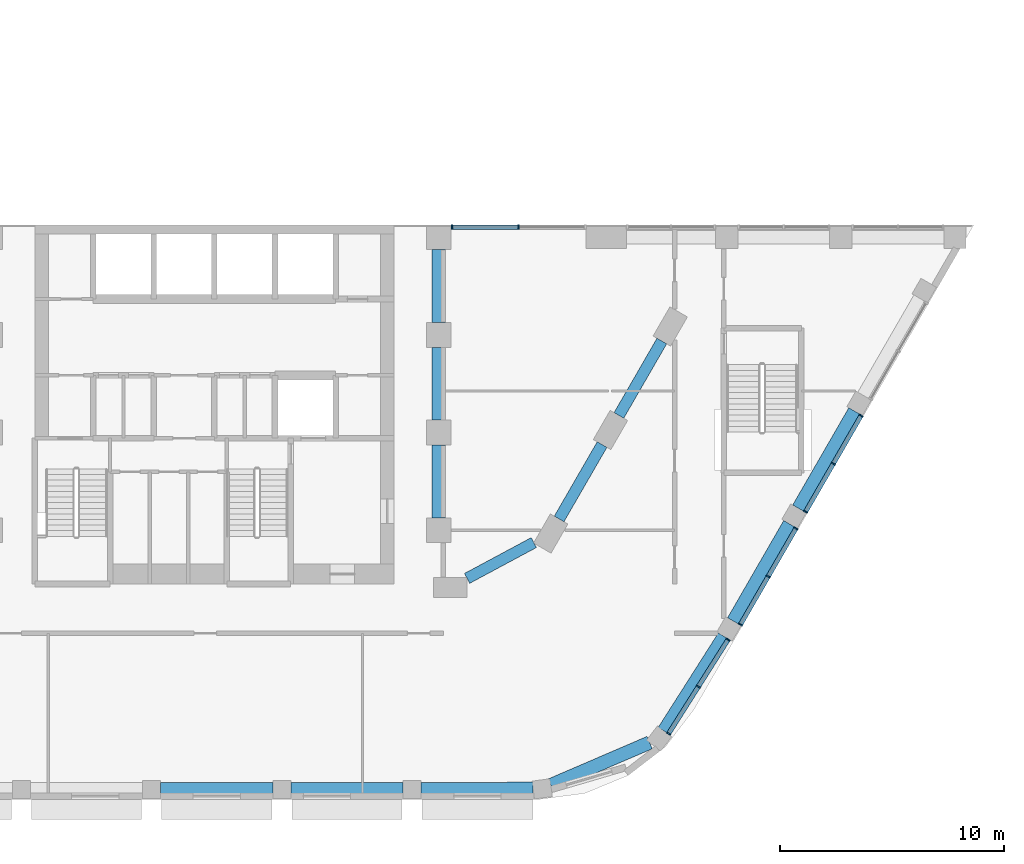
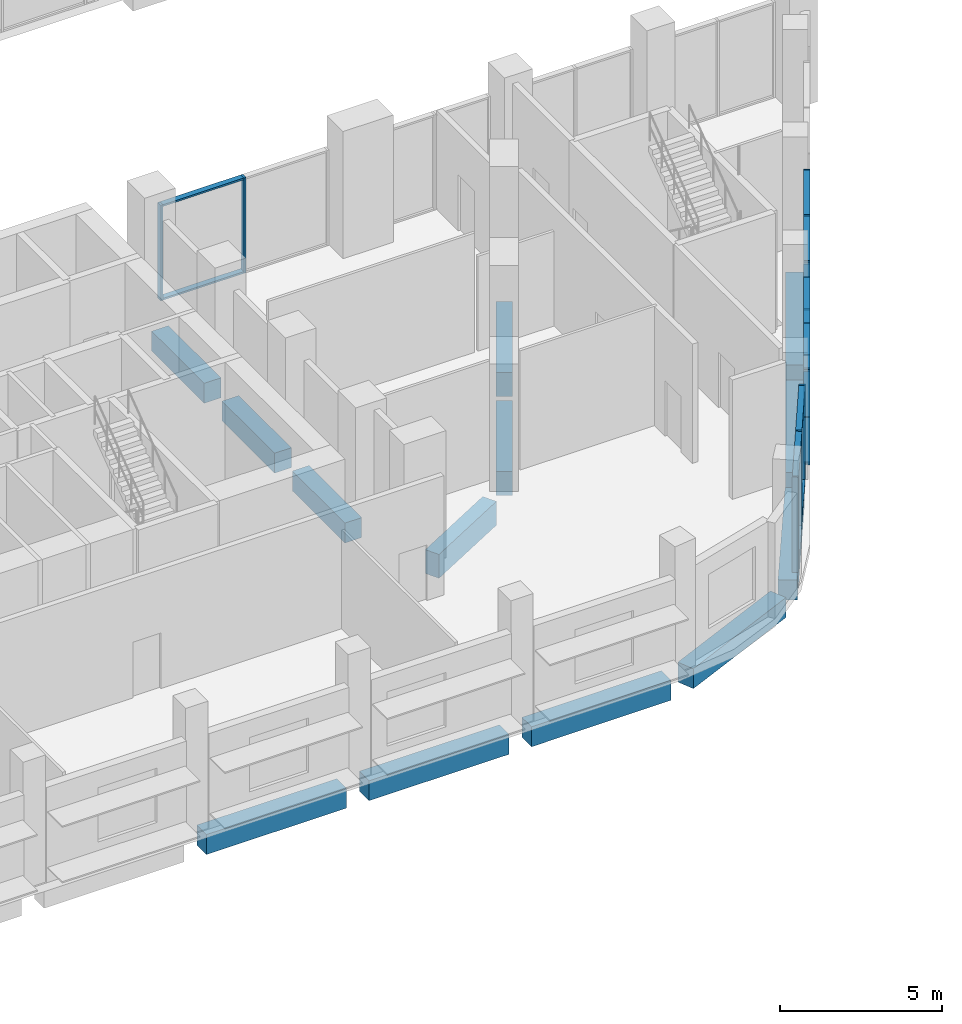
# One storey, part 3 of 45: 25 members, 13 beams, 4 elements without a shape of their own.
"""IFC4 building model written with IfcOpenShell, lengths in metres."""

from ifc_helpers import new_model, si_unit, direction, frame, origin, origin_2d, place, context, subcontext, project, spatial, rectangle, extrude, material, layer, layer_set, material_profile, profile_set, type_object, element, aggregate, save


model = new_model("IFC4")

# Units and contexts
model_context = context("Model", 3, precision=1e-05, world=origin(), true_north=direction((0.0, 1.0)))
body_context = subcontext(model_context, "Body", "Model", "MODEL_VIEW")
ifc_project = project(units=[si_unit("LENGTHUNIT", "METRE"), si_unit("AREAUNIT", "SQUARE_METRE"), si_unit("VOLUMEUNIT", "CUBIC_METRE"), si_unit("PLANEANGLEUNIT", "RADIAN"), si_unit("MASSUNIT", "GRAM", prefix="KILO")], contexts=[model_context])

# Site, building, storey
site_placement = place(None, origin())
site = spatial("IfcSite", under=ifc_project, at=site_placement, CompositionType="ELEMENT")
building_placement = place(site_placement, origin())
building = spatial("IfcBuilding", under=site, at=building_placement, Name="Nakaniwa Court", CompositionType="ELEMENT")
storey_placement = place(building_placement, frame((0.0, 0.0, 6.60009765625)))
storey = spatial("IfcBuildingStorey", under=building, at=storey_placement, Name="L01", CompositionType="ELEMENT", Elevation=6.60009765625)

# Beams
ifc_material_1 = material(Name="Concrete C100/115", Category="concrete")
ifc_material_profile_1 = material_profile(ifc_material_1, rectangle(XDim=0.5, YDim=0.89990234375, at=origin_2d()), Name="Concrete C100/115 RC 500x900 spandrel beam")
ifc_profile_set_1 = profile_set([ifc_material_profile_1], Name="Concrete C100/115")
beam_type_1 = type_object("IfcBeamType", Name="Concrete C100/115 RC 500x900 spandrel beam", PredefinedType="BEAM", material=ifc_profile_set_1)
beam_1_placement = place(storey_placement, frame((91.257080078125, 56.852294921875, -0.75), z_axis=(0.881234537383, 0.472679267711, 0.0), x_axis=(-0.472679267711, 0.881234537383, 0.0)))
element("IfcBeam", 1, at=beam_1_placement, inside=storey, type_object=beam_type_1, Name="SPANDREL BEAM", PredefinedType="BEAM", context=body_context, shape_type="SweptSolid", body=[
    extrude(rectangle(XDim=0.5, YDim=0.89990234375, at=origin_2d()), origin(), (0.0, 0.0, 1.0), 3.373291015625),
])
beam_2_placement = place(storey_placement, frame((95.357421875, 59.5, -0.75), z_axis=(0.500009674092, 0.866019818373, 0.0), x_axis=(-0.866019818373, 0.500009674092, 0.0)))
element("IfcBeam", 2, at=beam_2_placement, inside=storey, type_object=beam_type_1, Name="SPANDREL BEAM", PredefinedType="BEAM", context=body_context, shape_type="SweptSolid", body=[
    extrude(rectangle(XDim=0.5, YDim=0.89990234375, at=origin_2d()), origin(), (0.0, 0.0, 1.0), 3.826171875),
])
beam_3_placement = place(storey_placement, frame((98.0205078125, 64.1123046875, -0.75), z_axis=(0.499961815444, 0.866047448526, 0.0), x_axis=(-0.866047448526, 0.499961815444, 0.0)))
element("IfcBeam", 3, at=beam_3_placement, inside=storey, type_object=beam_type_1, Name="SPANDREL BEAM", PredefinedType="BEAM", context=body_context, shape_type="SweptSolid", body=[
    extrude(rectangle(XDim=0.5, YDim=0.89990234375, at=origin_2d()), origin(), (0.0, 0.0, 1.0), 3.825927734375),
])
ifc_material_profile_2 = material_profile(ifc_material_1, rectangle(XDim=0.60009765625, YDim=0.75, at=origin_2d()), Name="Concrete C100/115 RC 600x750 ring beam")
ifc_profile_set_2 = profile_set([ifc_material_profile_2], Name="Concrete C100/115")
beam_type_2 = type_object("IfcBeamType", Name="Concrete C100/115 RC 600x750 ring beam", PredefinedType="BEAM", material=ifc_profile_set_2)
for number, where, z_axis, x_axis, name in (
    (4, (90.0, 59.550048828125, -0.675048828125), (0.0, 1.0, 0.0), (-1.0, 0.0, 0.0), "RING BEAM"),
    (5, (90.0, 63.89990234375, -0.675048828125), (0.0, 1.0, 0.0), (-1.0, 0.0, 0.0), "RING BEAM"),
    (6, (90.0, 68.25, -0.675048828125), (0.0, 1.0, 0.0), (-1.0, 0.0, 0.0), "RING BEAM"),
):
    element("IfcBeam", number, at=place(storey_placement, frame(where, z_axis=z_axis, x_axis=x_axis)), inside=storey, type_object=beam_type_2, Name=name, PredefinedType="BEAM", context=body_context, shape_type="SweptSolid", body=[
        extrude(rectangle(XDim=0.60009765625, YDim=0.75, at=origin_2d()), origin(), (0.0, 0.0, 1.0), 3.25),
    ])
for number, where, z_axis, x_axis, name in (
    (7, (77.600341796875, 47.449951171875, -0.675048828125), (1.0, 0.0, 0.0), (0.0, 1.0, 0.0), "RING BEAM"),
    (8, (83.402587890625, 47.449951171875, -0.675048828125), (1.0, 0.0, 0.0), (0.0, 1.0, 0.0), "RING BEAM"),
):
    element("IfcBeam", number, at=place(storey_placement, frame(where, z_axis=z_axis, x_axis=x_axis)), inside=storey, type_object=beam_type_2, Name=name, PredefinedType="BEAM", context=body_context, shape_type="SweptSolid", body=[
        extrude(rectangle(XDim=0.60009765625, YDim=0.75, at=origin_2d()), origin(), (0.0, 0.0, 1.0), 5.002197265625),
    ])
beam_4_placement = place(storey_placement, frame((89.204833984375, 47.451904296875, -0.675048828125), z_axis=(0.999989678664, 0.004543409063, 0.0), x_axis=(-0.004543409063, 0.999989678664, 0.0)))
element("IfcBeam", 9, at=beam_4_placement, inside=storey, type_object=beam_type_2, Name="RING BEAM", PredefinedType="BEAM", context=body_context, shape_type="SweptSolid", body=[
    extrude(rectangle(XDim=0.60009765625, YDim=0.75, at=origin_2d()), origin(), (0.0, 0.0, 1.0), 4.997314453125),
])
beam_5_placement = place(storey_placement, frame((94.987060546875, 47.640869140625, -0.675048828125), z_axis=(0.918566909696, 0.395265521406, 0.0), x_axis=(-0.395265521406, 0.918566909696, 0.0)))
element("IfcBeam", 10, at=beam_5_placement, inside=storey, type_object=beam_type_2, Name="RING BEAM", PredefinedType="BEAM", context=body_context, shape_type="SweptSolid", body=[
    extrude(rectangle(XDim=0.60009765625, YDim=0.75, at=origin_2d()), origin(), (0.0, 0.0, 1.0), 4.791748046875),
])
beam_6_placement = place(storey_placement, frame((100.025390625, 50.0546875, -0.675048828125), z_axis=(0.537280707884, 0.843403486438, 0.0), x_axis=(-0.843403486438, 0.537280707884, 0.0)))
element("IfcBeam", 11, at=beam_6_placement, inside=storey, type_object=beam_type_2, Name="RING BEAM", PredefinedType="BEAM", context=body_context, shape_type="SweptSolid", body=[
    extrude(rectangle(XDim=0.60009765625, YDim=0.75, at=origin_2d()), origin(), (0.0, 0.0, 1.0), 4.9892578125),
])
for number, where, z_axis, x_axis, name in (
    (12, (103.12109375, 54.94677734375, -0.675048828125), (0.499997052475, 0.866027105532, 0.0), (-0.866027105532, 0.499997052475, 0.0), "RING BEAM"),
    (13, (106.022216796875, 59.9716796875, -0.675048828125), (0.499960447986, 0.866048237946, 0.0), (-0.866048237946, 0.499960447986, 0.0), "RING BEAM"),
):
    element("IfcBeam", number, at=place(storey_placement, frame(where, z_axis=z_axis, x_axis=x_axis)), inside=storey, type_object=beam_type_2, Name=name, PredefinedType="BEAM", context=body_context, shape_type="SweptSolid", body=[
        extrude(rectangle(XDim=0.60009765625, YDim=0.75, at=origin_2d()), origin(), (0.0, 0.0, 1.0), 5.00244140625),
    ])

# Curtain wall, members
ifc_material_2 = material(Name="Black anodised aluminium frame with dark low-E laminated double glazing", Category="aluminium")
ifc_layer_1 = layer(ifc_material_2, 0.199951171875)
ifc_layer_set_1 = layer_set([ifc_layer_1], Name="Black anodised aluminium frame with dark low-E laminated double glazing")
curtain_wall_type_1 = type_object("IfcCurtainWallType", Name="Podium unitised curtain wall", PredefinedType="NOTDEFINED", material=ifc_layer_set_1)
curtain_wall_1_placement = place(storey_placement, origin())
curtain_wall_1 = element("IfcCurtainWall", 14, at=curtain_wall_1_placement, inside=storey, type_object=curtain_wall_type_1, Name="L01 curtain wall CW1 00", PredefinedType="NOTDEFINED")
ifc_material_3 = material(Name="Black anodised aluminium extrusion", Category="aluminium")
ifc_material_profile_3 = material_profile(ifc_material_3, rectangle(XDim=0.199951171875, YDim=0.06494140625, at=origin_2d()), Name="Podium unitised curtain wall mullion 65x200")
ifc_profile_set_3 = profile_set([ifc_material_profile_3], Name="Black anodised aluminium extrusion")
member_type_1 = type_object("IfcMemberType", Name="Podium unitised curtain wall mullion 65x200", PredefinedType="MULLION", material=ifc_profile_set_3)
member_1_placement = place(storey_placement, frame((103.4384765625, 54.79638671875, 0.0), z_axis=(0.0, 0.0, 1.0), x_axis=(-0.866037354758, 0.499979299736, 0.0)))
member_1 = element("IfcMember", 15, at=member_1_placement, type_object=member_type_1, Name="CW1 mullion 1", PredefinedType="MULLION", context=body_context, shape_type="SweptSolid", body=[
    extrude(rectangle(XDim=0.199951171875, YDim=0.06494140625, at=origin_2d()), origin(), (0.0, 0.0, 1.0), 3.599853515625),
])
member_2_placement = place(storey_placement, frame((104.6748046875, 56.93798828125, 0.0), z_axis=(0.0, 0.0, 1.0), x_axis=(-0.866037354758, 0.499979299736, 0.0)))
member_2 = element("IfcMember", 16, at=member_2_placement, type_object=member_type_1, Name="CW1 mullion 2", PredefinedType="MULLION", context=body_context, shape_type="SweptSolid", body=[
    extrude(rectangle(XDim=0.199951171875, YDim=0.06494140625, at=origin_2d()), origin(), (0.0, 0.0, 1.0), 3.599853515625),
])
member_3_placement = place(storey_placement, frame((105.9111328125, 59.079345703125, 0.0), z_axis=(0.0, 0.0, 1.0), x_axis=(-0.866037354758, 0.499979299736, 0.0)))
member_3 = element("IfcMember", 17, at=member_3_placement, type_object=member_type_1, Name="CW1 mullion 3", PredefinedType="MULLION", context=body_context, shape_type="SweptSolid", body=[
    extrude(rectangle(XDim=0.199951171875, YDim=0.06494140625, at=origin_2d()), origin(), (0.0, 0.0, 1.0), 3.599853515625),
])

curtain_wall_2_placement = place(storey_placement, origin())
curtain_wall_2 = element("IfcCurtainWall", 18, at=curtain_wall_2_placement, inside=storey, type_object=curtain_wall_type_1, Name="L01 curtain wall CW1 01", PredefinedType="NOTDEFINED")
member_4_placement = place(storey_placement, frame((106.339599609375, 59.821533203125, 0.0), z_axis=(0.0, 0.0, 1.0), x_axis=(-0.866032365426, 0.499987941889, 0.0)))
member_4 = element("IfcMember", 19, at=member_4_placement, type_object=member_type_1, Name="CW1 mullion 1", PredefinedType="MULLION", context=body_context, shape_type="SweptSolid", body=[
    extrude(rectangle(XDim=0.199951171875, YDim=0.06494140625, at=origin_2d()), origin(), (0.0, 0.0, 1.0), 3.599853515625),
])
member_5_placement = place(storey_placement, frame((107.575927734375, 61.962890625, 0.0), z_axis=(0.0, 0.0, 1.0), x_axis=(-0.866032365426, 0.499987941889, 0.0)))
member_5 = element("IfcMember", 20, at=member_5_placement, type_object=member_type_1, Name="CW1 mullion 2", PredefinedType="MULLION", context=body_context, shape_type="SweptSolid", body=[
    extrude(rectangle(XDim=0.199951171875, YDim=0.06494140625, at=origin_2d()), origin(), (0.0, 0.0, 1.0), 3.599853515625),
])
member_6_placement = place(storey_placement, frame((108.812255859375, 64.104248046875, 0.0), z_axis=(0.0, 0.0, 1.0), x_axis=(-0.866032365426, 0.499987941889, 0.0)))
member_6 = element("IfcMember", 21, at=member_6_placement, type_object=member_type_1, Name="CW1 mullion 3", PredefinedType="MULLION", context=body_context, shape_type="SweptSolid", body=[
    extrude(rectangle(XDim=0.199951171875, YDim=0.06494140625, at=origin_2d()), origin(), (0.0, 0.0, 1.0), 3.599853515625),
])

curtain_wall_3_placement = place(storey_placement, origin())
curtain_wall_3 = element("IfcCurtainWall", 22, at=curtain_wall_3_placement, inside=storey, type_object=curtain_wall_type_1, Name="L01 curtain wall CW1 26", PredefinedType="NOTDEFINED")
member_7_placement = place(storey_placement, frame((100.235595703125, 49.93505859375, 0.0), z_axis=(0.0, 0.0, 1.0), x_axis=(-0.845107295343, 0.534596725914, 0.0)))
member_7 = element("IfcMember", 23, at=member_7_placement, type_object=member_type_1, Name="CW1 mullion 1", PredefinedType="MULLION", context=body_context, shape_type="SweptSolid", body=[
    extrude(rectangle(XDim=0.199951171875, YDim=0.06494140625, at=origin_2d()), origin(), (0.0, 0.0, 1.0), 3.599853515625),
])
member_8_placement = place(storey_placement, frame((101.560546875, 52.029541015625, 0.0), z_axis=(0.0, 0.0, 1.0), x_axis=(-0.845107295343, 0.534596725914, 0.0)))
member_8 = element("IfcMember", 24, at=member_8_placement, type_object=member_type_1, Name="CW1 mullion 2", PredefinedType="MULLION", context=body_context, shape_type="SweptSolid", body=[
    extrude(rectangle(XDim=0.199951171875, YDim=0.06494140625, at=origin_2d()), origin(), (0.0, 0.0, 1.0), 3.599853515625),
])
member_9_placement = place(storey_placement, frame((102.885498046875, 54.1240234375, 0.0), z_axis=(0.0, 0.0, 1.0), x_axis=(-0.845107295343, 0.534596725914, 0.0)))
member_9 = element("IfcMember", 25, at=member_9_placement, type_object=member_type_1, Name="CW1 mullion 3", PredefinedType="MULLION", context=body_context, shape_type="SweptSolid", body=[
    extrude(rectangle(XDim=0.199951171875, YDim=0.06494140625, at=origin_2d()), origin(), (0.0, 0.0, 1.0), 3.599853515625),
])

# Member
ifc_material_profile_4 = material_profile(ifc_material_3, rectangle(XDim=0.199951171875, YDim=0.050048828125, at=origin_2d()), Name="Podium unitised curtain wall transom 50x200")
ifc_profile_set_4 = profile_set([ifc_material_profile_4], Name="Black anodised aluminium extrusion")
member_type_2 = type_object("IfcMemberType", Name="Podium unitised curtain wall transom 50x200", PredefinedType="USERDEFINED", material=ifc_profile_set_4)
member_10_placement = place(storey_placement, frame((103.45458984375, 54.82470703125, 0.02490234375), z_axis=(0.50003260427, 0.866006578882, 0.0), x_axis=(-0.866006578882, 0.50003260427, 0.0)))
member_10 = element("IfcMember", 26, at=member_10_placement, type_object=member_type_2, Name="CW1 transom 1.1", ObjectType="TRANSOM", PredefinedType="USERDEFINED", context=body_context, shape_type="SweptSolid", body=[
    extrude(rectangle(XDim=0.199951171875, YDim=0.050048828125, at=origin_2d()), origin(), (0.0, 0.0, 1.0), 2.407470703125),
])

member_11_placement = place(storey_placement, frame((103.45458984375, 54.82470703125, 3.574951171875), z_axis=(0.50003260427, 0.866006578882, 0.0), x_axis=(-0.866006578882, 0.50003260427, 0.0)))
member_11 = element("IfcMember", 27, at=member_11_placement, type_object=member_type_2, Name="CW1 transom 1.2", ObjectType="TRANSOM", PredefinedType="USERDEFINED", context=body_context, shape_type="SweptSolid", body=[
    extrude(rectangle(XDim=0.199951171875, YDim=0.050048828125, at=origin_2d()), origin(), (0.0, 0.0, 1.0), 2.407470703125),
])

member_12_placement = place(storey_placement, frame((104.69091796875, 56.966064453125, 0.02490234375), z_axis=(0.499988695522, 0.866031930329, 0.0), x_axis=(-0.866031930329, 0.499988695522, 0.0)))
member_12 = element("IfcMember", 28, at=member_12_placement, type_object=member_type_2, Name="CW1 transom 2.1", ObjectType="TRANSOM", PredefinedType="USERDEFINED", context=body_context, shape_type="SweptSolid", body=[
    extrude(rectangle(XDim=0.199951171875, YDim=0.050048828125, at=origin_2d()), origin(), (0.0, 0.0, 1.0), 2.40771484375),
])

member_13_placement = place(storey_placement, frame((104.69091796875, 56.966064453125, 3.574951171875), z_axis=(0.499988695522, 0.866031930329, 0.0), x_axis=(-0.866031930329, 0.499988695522, 0.0)))
member_13 = element("IfcMember", 29, at=member_13_placement, type_object=member_type_2, Name="CW1 transom 2.2", ObjectType="TRANSOM", PredefinedType="USERDEFINED", context=body_context, shape_type="SweptSolid", body=[
    extrude(rectangle(XDim=0.199951171875, YDim=0.050048828125, at=origin_2d()), origin(), (0.0, 0.0, 1.0), 2.40771484375),
])

aggregate(curtain_wall_1, [member_1, member_2, member_3, member_10, member_11, member_12, member_13])

member_14_placement = place(storey_placement, frame((106.355712890625, 59.849609375, 0.02490234375), z_axis=(0.499988695522, 0.866031930329, 0.0), x_axis=(-0.866031930329, 0.499988695522, 0.0)))
member_14 = element("IfcMember", 30, at=member_14_placement, type_object=member_type_2, Name="CW1 transom 1.1", ObjectType="TRANSOM", PredefinedType="USERDEFINED", context=body_context, shape_type="SweptSolid", body=[
    extrude(rectangle(XDim=0.199951171875, YDim=0.050048828125, at=origin_2d()), origin(), (0.0, 0.0, 1.0), 2.40771484375),
])

member_15_placement = place(storey_placement, frame((106.355712890625, 59.849609375, 3.574951171875), z_axis=(0.499988695522, 0.866031930329, 0.0), x_axis=(-0.866031930329, 0.499988695522, 0.0)))
member_15 = element("IfcMember", 31, at=member_15_placement, type_object=member_type_2, Name="CW1 transom 1.2", ObjectType="TRANSOM", PredefinedType="USERDEFINED", context=body_context, shape_type="SweptSolid", body=[
    extrude(rectangle(XDim=0.199951171875, YDim=0.050048828125, at=origin_2d()), origin(), (0.0, 0.0, 1.0), 2.40771484375),
])

member_16_placement = place(storey_placement, frame((107.592041015625, 61.990966796875, 0.02490234375), z_axis=(0.499988695522, 0.866031930329, 0.0), x_axis=(-0.866031930329, 0.499988695522, 0.0)))
member_16 = element("IfcMember", 32, at=member_16_placement, type_object=member_type_2, Name="CW1 transom 2.1", ObjectType="TRANSOM", PredefinedType="USERDEFINED", context=body_context, shape_type="SweptSolid", body=[
    extrude(rectangle(XDim=0.199951171875, YDim=0.050048828125, at=origin_2d()), origin(), (0.0, 0.0, 1.0), 2.40771484375),
])

member_17_placement = place(storey_placement, frame((107.592041015625, 61.990966796875, 3.574951171875), z_axis=(0.499988695522, 0.866031930329, 0.0), x_axis=(-0.866031930329, 0.499988695522, 0.0)))
member_17 = element("IfcMember", 33, at=member_17_placement, type_object=member_type_2, Name="CW1 transom 2.2", ObjectType="TRANSOM", PredefinedType="USERDEFINED", context=body_context, shape_type="SweptSolid", body=[
    extrude(rectangle(XDim=0.199951171875, YDim=0.050048828125, at=origin_2d()), origin(), (0.0, 0.0, 1.0), 2.40771484375),
])

aggregate(curtain_wall_2, [member_4, member_5, member_6, member_14, member_15, member_16, member_17])

member_18_placement = place(storey_placement, frame((100.2529296875, 49.96240234375, 0.02490234375), z_axis=(0.534628443241, 0.84508723081, 0.0), x_axis=(-0.84508723081, 0.534628443241, 0.0)))
member_18 = element("IfcMember", 34, at=member_18_placement, type_object=member_type_2, Name="CW1 transom 1.1", ObjectType="TRANSOM", PredefinedType="USERDEFINED", context=body_context, shape_type="SweptSolid", body=[
    extrude(rectangle(XDim=0.199951171875, YDim=0.050048828125, at=origin_2d()), origin(), (0.0, 0.0, 1.0), 2.413330078125),
])

member_19_placement = place(storey_placement, frame((100.2529296875, 49.96240234375, 3.574951171875), z_axis=(0.534628443241, 0.84508723081, 0.0), x_axis=(-0.84508723081, 0.534628443241, 0.0)))
member_19 = element("IfcMember", 35, at=member_19_placement, type_object=member_type_2, Name="CW1 transom 1.2", ObjectType="TRANSOM", PredefinedType="USERDEFINED", context=body_context, shape_type="SweptSolid", body=[
    extrude(rectangle(XDim=0.199951171875, YDim=0.050048828125, at=origin_2d()), origin(), (0.0, 0.0, 1.0), 2.413330078125),
])

member_20_placement = place(storey_placement, frame((101.577880859375, 52.056884765625, 0.02490234375), z_axis=(0.534628443241, 0.84508723081, 0.0), x_axis=(-0.84508723081, 0.534628443241, 0.0)))
member_20 = element("IfcMember", 36, at=member_20_placement, type_object=member_type_2, Name="CW1 transom 2.1", ObjectType="TRANSOM", PredefinedType="USERDEFINED", context=body_context, shape_type="SweptSolid", body=[
    extrude(rectangle(XDim=0.199951171875, YDim=0.050048828125, at=origin_2d()), origin(), (0.0, 0.0, 1.0), 2.413330078125),
])

member_21_placement = place(storey_placement, frame((101.577880859375, 52.056884765625, 3.574951171875), z_axis=(0.534628443241, 0.84508723081, 0.0), x_axis=(-0.84508723081, 0.534628443241, 0.0)))
member_21 = element("IfcMember", 37, at=member_21_placement, type_object=member_type_2, Name="CW1 transom 2.2", ObjectType="TRANSOM", PredefinedType="USERDEFINED", context=body_context, shape_type="SweptSolid", body=[
    extrude(rectangle(XDim=0.199951171875, YDim=0.050048828125, at=origin_2d()), origin(), (0.0, 0.0, 1.0), 2.413330078125),
])

aggregate(curtain_wall_3, [member_7, member_8, member_9, member_18, member_19, member_20, member_21])

# Curtain wall, members
ifc_layer_2 = layer(ifc_material_2, 0.199951171875)
ifc_layer_set_2 = layer_set([ifc_layer_2], Name="Black anodised aluminium frame with dark low-E laminated double glazing")
curtain_wall_type_2 = type_object("IfcCurtainWallType", Name="Portal side curtain wall", PredefinedType="NOTDEFINED", material=ifc_layer_set_2)
curtain_wall_4_placement = place(storey_placement, origin())
curtain_wall_4 = element("IfcCurtainWall", 38, at=curtain_wall_4_placement, inside=storey, type_object=curtain_wall_type_2, Name="L01 curtain wall CW5 07", PredefinedType="NOTDEFINED")
ifc_material_profile_5 = material_profile(ifc_material_3, rectangle(XDim=0.199951171875, YDim=0.074951171875, at=origin_2d()), Name="Portal side curtain wall mullion 75x200")
ifc_profile_set_5 = profile_set([ifc_material_profile_5], Name="Black anodised aluminium extrusion")
member_type_3 = type_object("IfcMemberType", Name="Portal side curtain wall mullion 75x200", PredefinedType="MULLION", material=ifc_profile_set_5)
member_22_placement = place(storey_placement, frame((93.553955078125, 72.5, 0.0), z_axis=(0.0, 0.0, 1.0), x_axis=(0.0, -1.0, 0.0)))
member_22 = element("IfcMember", 39, at=member_22_placement, type_object=member_type_3, Name="CW5 mullion 2", PredefinedType="MULLION", context=body_context, shape_type="SweptSolid", body=[
    extrude(rectangle(XDim=0.199951171875, YDim=0.074951171875, at=origin_2d()), origin(), (0.0, 0.0, 1.0), 3.599853515625),
])
member_23_placement = place(storey_placement, frame((90.58349609375, 72.5, 0.0), z_axis=(0.0, 0.0, 1.0), x_axis=(0.0, -1.0, 0.0)))
member_23 = element("IfcMember", 40, at=member_23_placement, type_object=member_type_3, Name="CW5 mullion 3", PredefinedType="MULLION", context=body_context, shape_type="SweptSolid", body=[
    extrude(rectangle(XDim=0.199951171875, YDim=0.074951171875, at=origin_2d()), origin(), (0.0, 0.0, 1.0), 3.599853515625),
])
ifc_material_profile_6 = material_profile(ifc_material_3, rectangle(XDim=0.199951171875, YDim=0.06494140625, at=origin_2d()), Name="Portal side curtain wall transom 65x200")
ifc_profile_set_6 = profile_set([ifc_material_profile_6], Name="Black anodised aluminium extrusion")
member_type_4 = type_object("IfcMemberType", Name="Portal side curtain wall transom 65x200", PredefinedType="USERDEFINED", material=ifc_profile_set_6)
member_24_placement = place(storey_placement, frame((93.5166015625, 72.5, 0.032470703125), z_axis=(-1.0, 0.0, 0.0), x_axis=(0.0, -1.0, 0.0)))
member_24 = element("IfcMember", 41, at=member_24_placement, type_object=member_type_4, Name="CW5 transom 2.1", ObjectType="TRANSOM", PredefinedType="USERDEFINED", context=body_context, shape_type="SweptSolid", body=[
    extrude(rectangle(XDim=0.199951171875, YDim=0.06494140625, at=origin_2d()), origin(), (0.0, 0.0, 1.0), 2.8955078125),
])
member_25_placement = place(storey_placement, frame((93.5166015625, 72.5, 3.5673828125), z_axis=(-1.0, 0.0, 0.0), x_axis=(0.0, -1.0, 0.0)))
member_25 = element("IfcMember", 42, at=member_25_placement, type_object=member_type_4, Name="CW5 transom 2.2", ObjectType="TRANSOM", PredefinedType="USERDEFINED", context=body_context, shape_type="SweptSolid", body=[
    extrude(rectangle(XDim=0.199951171875, YDim=0.06494140625, at=origin_2d()), origin(), (0.0, 0.0, 1.0), 2.8955078125),
])
aggregate(curtain_wall_4, [member_22, member_23, member_24, member_25])

save(model, "model.ifc")
